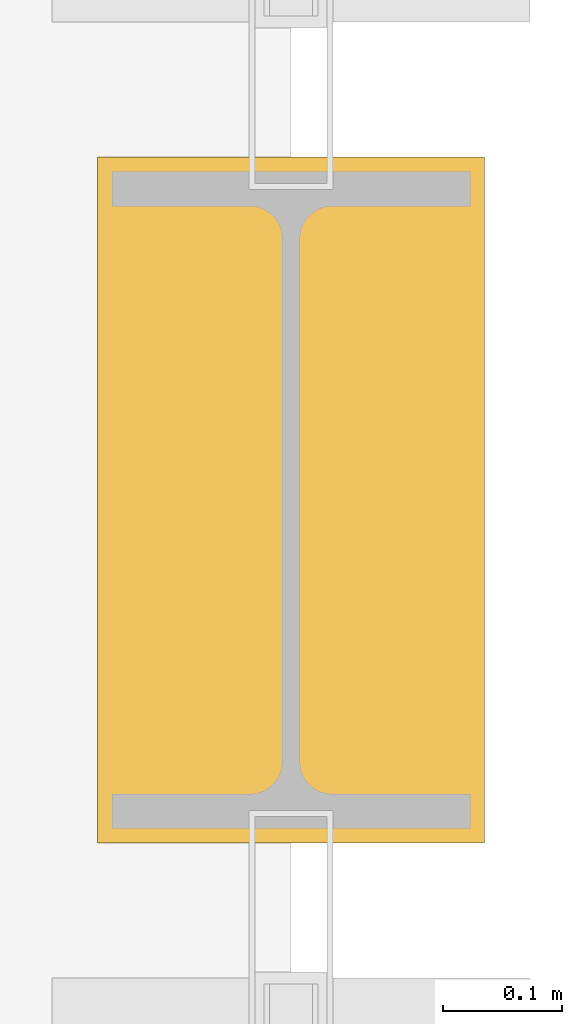
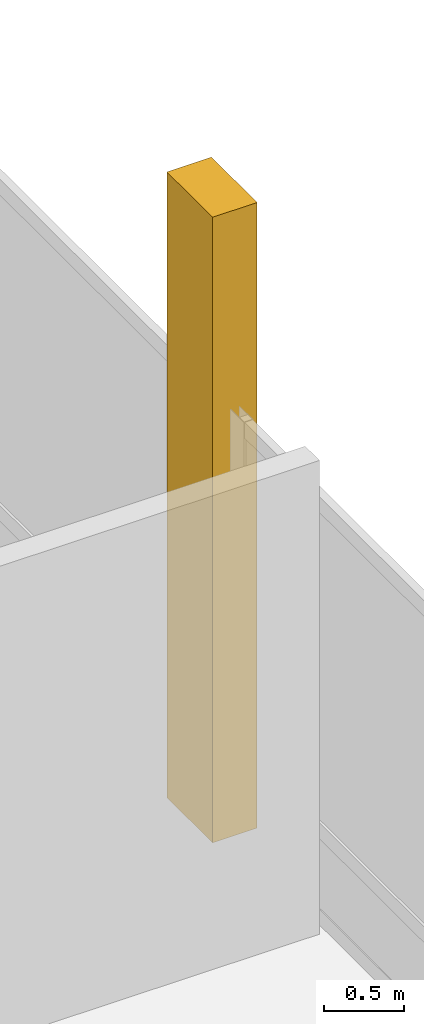
# One storey, part 215 of 220: 1 covering.
"""IFC4 building model written with IfcOpenShell, lengths in metres."""

from ifc_helpers import new_model, si_unit, direction, frame, origin, place, context, subcontext, project, spatial, polyline, outline, extrude, material, layer, layer_set, type_object, element, save


model = new_model("IFC4")

# Units and contexts
model_context = context("Model", 3, precision=1e-05, world=origin(), true_north=direction((0.0, 1.0)))
body_context = subcontext(model_context, "Body", "Model", "MODEL_VIEW")
ifc_project = project(units=[si_unit("LENGTHUNIT", "METRE"), si_unit("AREAUNIT", "SQUARE_METRE"), si_unit("VOLUMEUNIT", "CUBIC_METRE"), si_unit("PLANEANGLEUNIT", "RADIAN"), si_unit("MASSUNIT", "GRAM", prefix="KILO")], contexts=[model_context])

# Site, building, storey
site_placement = place(None, origin())
site = spatial("IfcSite", under=ifc_project, at=site_placement, CompositionType="ELEMENT")
building_placement = place(site_placement, origin())
building = spatial("IfcBuilding", under=site, at=building_placement, Name="Cendralis Lancet Convention Centre", CompositionType="ELEMENT")
storey_placement = place(building_placement, frame((0.0, 0.0, 5.39990234375)))
storey = spatial("IfcBuildingStorey", under=building, at=storey_placement, Name="L01", CompositionType="ELEMENT", Elevation=5.39990234375)

# Covering
ifc_material = material(Name="Warm buff sandstone chevron cassette", Category="masonry")
ifc_layer = layer(ifc_material, 0.06005859375, Name="Warm buff sandstone chevron cassette")
ifc_layer_set = layer_set([ifc_layer], Name="Warm buff sandstone chevron cassette")
covering_type = type_object("IfcCoveringType", Name="ARC-CV-CLAD1", PredefinedType="CLADDING", material=ifc_layer_set)
covering_placement = place(storey_placement, origin())
element("IfcCovering", 1, at=covering_placement, inside=storey, type_object=covering_type, Name="Exterior Column Stone Fire-Casing L01 #083", PredefinedType="CLADDING", context=body_context, shape_type="SweptSolid", body=[
    extrude(outline(polyline([(208.637939453125, 122.113037109375), (208.9619140625, 122.113037109375), (208.9619140625, 122.68701171875), (208.637939453125, 122.68701171875), (208.637939453125, 122.113037109375)])), origin(), (0.0, 0.0, 1.0), 4.800048828125),
])

save(model, "model.ifc")
